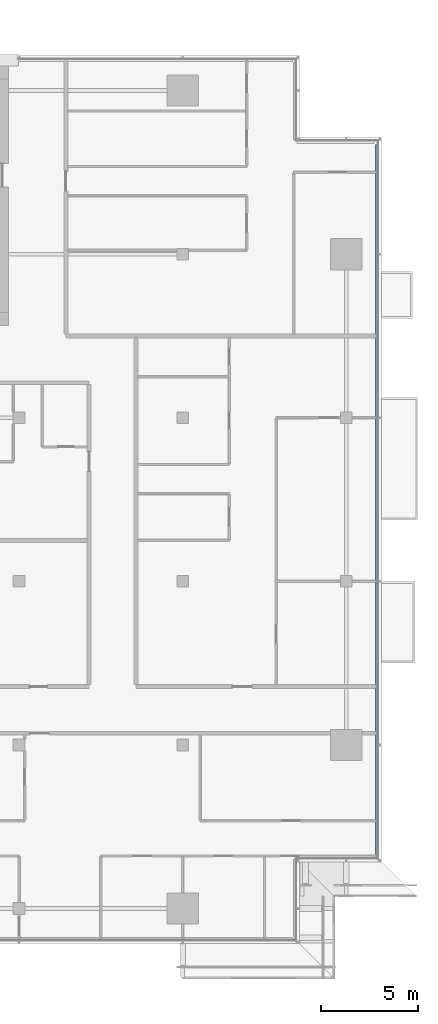
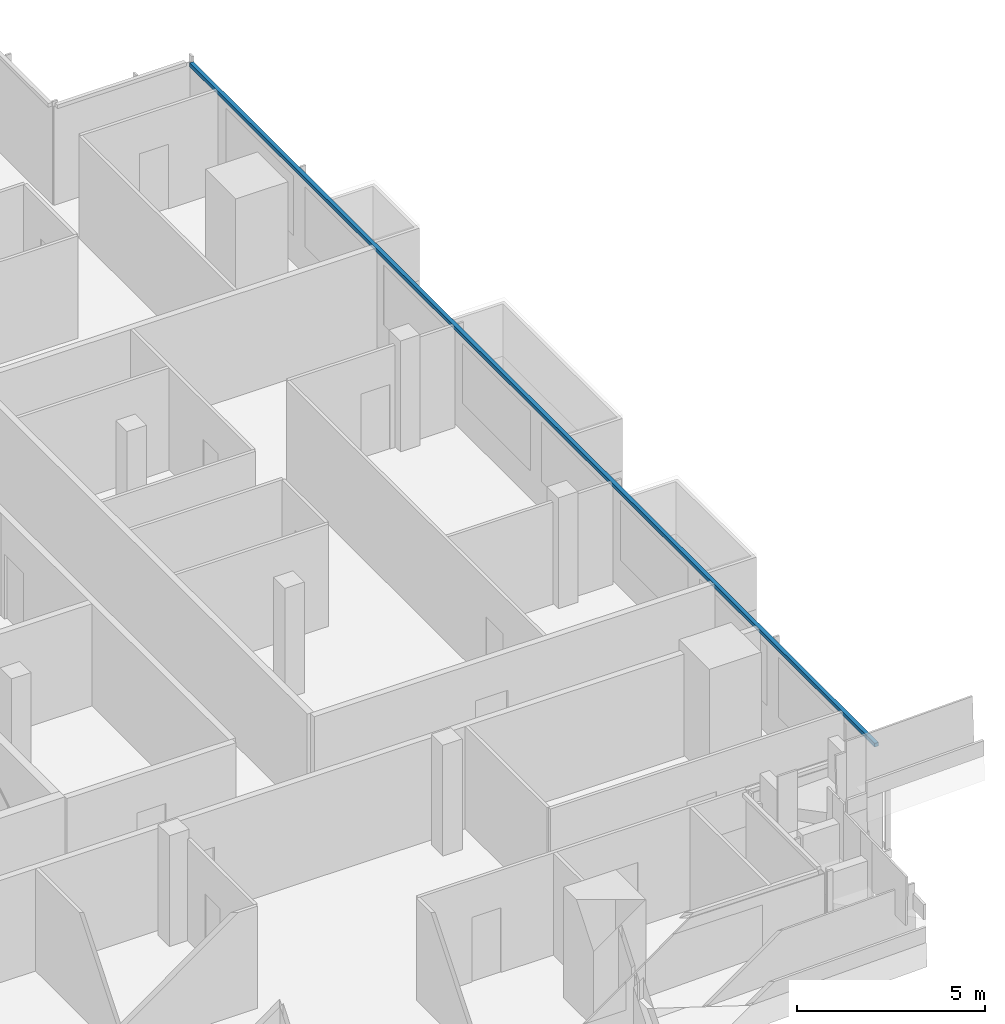
# One storey, part 12 of 30: 1 member, 1 element without a shape of its own.
"""IFC4 building model written with IfcOpenShell, lengths in metres."""

from ifc_helpers import new_model, si_unit, direction, frame, origin, origin_2d, place, context, subcontext, project, spatial, rectangle, extrude, material, material_profile, profile_set, type_object, element, aggregate, save


model = new_model("IFC4")

# Units and contexts
model_context = context("Model", 3, precision=1e-05, world=origin(), true_north=direction((0.0, 1.0)))
body_context = subcontext(model_context, "Body", "Model", "MODEL_VIEW")
ifc_project = project(units=[si_unit("LENGTHUNIT", "METRE"), si_unit("AREAUNIT", "SQUARE_METRE"), si_unit("VOLUMEUNIT", "CUBIC_METRE"), si_unit("PLANEANGLEUNIT", "RADIAN"), si_unit("MASSUNIT", "GRAM", prefix="KILO")], contexts=[model_context])

# Site, building, storey
site_placement = place(None, origin())
site = spatial("IfcSite", under=ifc_project, at=site_placement, CompositionType="ELEMENT")
building_placement = place(site_placement, origin())
building = spatial("IfcBuilding", under=site, at=building_placement, Name="Saffron Gate Tower", CompositionType="ELEMENT")
storey_placement = place(building_placement, frame((0.0, 0.0, 216.300048828125)))
storey = spatial("IfcBuildingStorey", under=building, at=storey_placement, Name="L52", CompositionType="ELEMENT", Elevation=216.300048828125)

# Curtain wall, member
ifc_material = material(Name="Aluminium, bronze anodised", Category="aluminium")
curtain_wall_type = type_object("IfcCurtainWallType", Name="CWS2 curtain wall side facades", PredefinedType="NOTDEFINED", material=ifc_material)
curtain_wall_placement = place(storey_placement, origin())
curtain_wall = element("IfcCurtainWall", 1, at=curtain_wall_placement, inside=storey, type_object=curtain_wall_type, Name="CWS2 run 4", PredefinedType="NOTDEFINED")
ifc_material_profile = material_profile(ifc_material, rectangle(XDim=0.1201171875, YDim=0.1201171875, at=origin_2d()))
ifc_profile_set = profile_set([ifc_material_profile], Name="Aluminium, bronze anodised")
member_type = type_object("IfcMemberType", Name="CWS2 head transom", PredefinedType="USERDEFINED", material=ifc_profile_set)
member_placement = place(storey_placement, frame((126.951904296875, 34.568115234375, 3.260009765625), z_axis=(0.0, 1.0, 0.0), x_axis=(-1.0, 0.0, 0.0)))
member = element("IfcMember", 2, at=member_placement, type_object=member_type, Name="CWS2 head transom", ObjectType="TRANSOM", PredefinedType="USERDEFINED", context=body_context, shape_type="SweptSolid", body=[
    extrude(rectangle(XDim=0.1201171875, YDim=0.1201171875, at=origin_2d()), origin(), (0.0, 0.0, 1.0), 36.4638671875),
])
aggregate(curtain_wall, [member])

save(model, "model.ifc")
